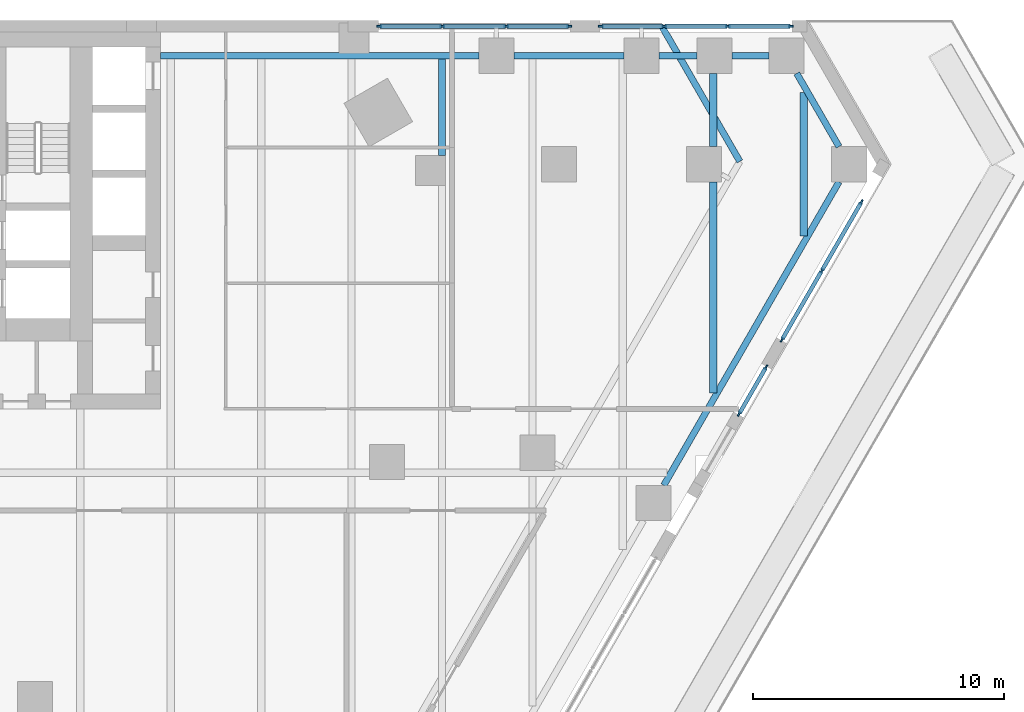
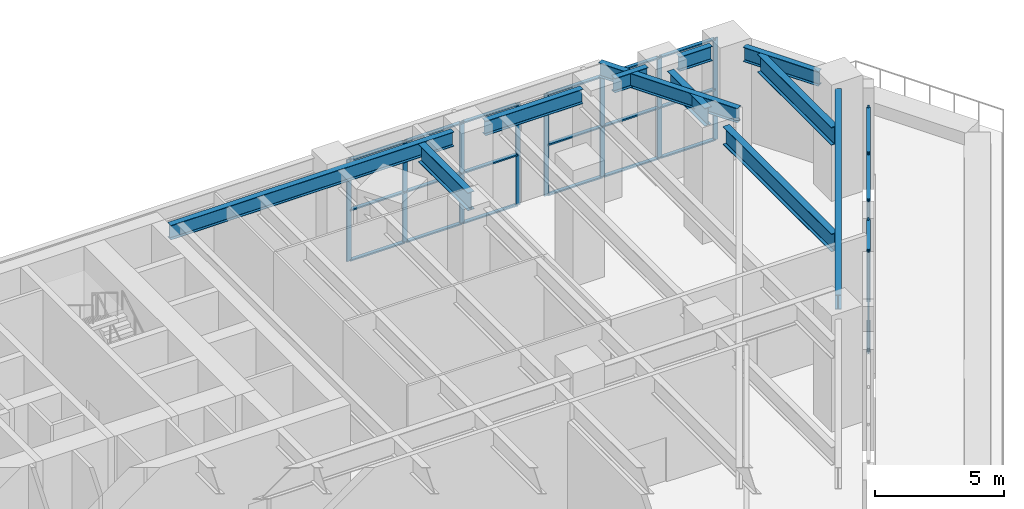
# One storey, part 13 of 30: 40 members, 11 beams, 4 elements without a shape of their own.
"""IFC4 building model written with IfcOpenShell, lengths in metres."""

from ifc_helpers import new_model, si_unit, direction, frame, origin, origin_2d, place, context, subcontext, project, spatial, rectangle, i_section, extrude, material, material_profile, profile_set, type_object, element, aggregate, save


model = new_model("IFC4")

# Units and contexts
model_context = context("Model", 3, precision=1e-05, world=origin(), true_north=direction((0.0, 1.0)))
body_context = subcontext(model_context, "Body", "Model", "MODEL_VIEW")
ifc_project = project(units=[si_unit("LENGTHUNIT", "METRE"), si_unit("AREAUNIT", "SQUARE_METRE"), si_unit("VOLUMEUNIT", "CUBIC_METRE"), si_unit("PLANEANGLEUNIT", "RADIAN"), si_unit("MASSUNIT", "GRAM", prefix="KILO")], contexts=[model_context])

# Site, building, storey
site_placement = place(None, origin())
site = spatial("IfcSite", under=ifc_project, at=site_placement, CompositionType="ELEMENT")
building_placement = place(site_placement, origin())
building = spatial("IfcBuilding", under=site, at=building_placement, Name="Aloe Facet Convention Tower", CompositionType="ELEMENT")
storey_placement = place(building_placement, frame((0.0, 0.0, 19.5)))
storey = spatial("IfcBuildingStorey", under=building, at=storey_placement, Name="L03", CompositionType="ELEMENT", Elevation=19.5)

# Beam
ifc_material_1 = material(Name="Steel S355", Category="steel")
ifc_material_profile_1 = material_profile(ifc_material_1, i_section(OverallWidth=0.25439453125, OverallDepth=0.6875, WebThickness=0.01318359375, FlangeThickness=0.02099609375, FilletRadius=0.01513671875, at=origin_2d()), Name="UB 686x254x152")
ifc_profile_set_1 = profile_set([ifc_material_profile_1], Name="Steel S355")
beam_type_1 = type_object("IfcBeamType", Name="EV-EB-UB686x254x152", PredefinedType="BEAM", material=ifc_profile_set_1)
beam_1_placement = place(storey_placement, frame((117.052001953125, 129.396728515625, 4.90625), z_axis=(-0.499986758824, 0.866033048446, 0.0), x_axis=(-0.866033048446, -0.499986758824, 0.0)))
element("IfcBeam", 1, at=beam_1_placement, inside=storey, type_object=beam_type_1, Name="EB-L04-C", PredefinedType="BEAM", context=body_context, shape_type="SweptSolid", body=[
    extrude(i_section(OverallWidth=0.25439453125, OverallDepth=0.6875, WebThickness=0.01318359375, FlangeThickness=0.02099609375, FilletRadius=0.01513671875, at=origin_2d()), origin(), (0.0, 0.0, 1.0), 6.210205078125),
])

# Curtain wall, members
ifc_material_2 = material(Name="Aluminium, anodised", Category="aluminium")
curtain_wall_type = type_object("IfcCurtainWallType", Name="EV-CW-HALL", PredefinedType="USERDEFINED", material=ifc_material_2)
curtain_wall_1_placement = place(storey_placement, origin())
curtain_wall_1 = element("IfcCurtainWall", 2, at=curtain_wall_1_placement, inside=storey, type_object=curtain_wall_type, Name="CW-L03-N02", ObjectType="UNITISED HALL GLAZING", PredefinedType="USERDEFINED")
ifc_material_3 = material(Name="Aluminium, anodised", Category="aluminium")
ifc_material_profile_2 = material_profile(ifc_material_3, rectangle(XDim=0.06494140625, YDim=0.199951171875, at=origin_2d()), Name="AL 65x200")
ifc_profile_set_2 = profile_set([ifc_material_profile_2], Name="Aluminium, anodised")
member_type_1 = type_object("IfcMemberType", Name="EV-MULL-HALL", PredefinedType="MULLION", material=ifc_profile_set_2)
member_1_placement = place(storey_placement, frame((119.087890625, 134.77490234375, -0.25), z_axis=(0.0, 0.0, 1.0), x_axis=(0.0, -1.0, 0.0)))
member_1 = element("IfcMember", 3, at=member_1_placement, type_object=member_type_1, Name="CW-L03-N02 mullion 1", PredefinedType="MULLION", context=body_context, shape_type="SweptSolid", body=[
    extrude(rectangle(XDim=0.06494140625, YDim=0.199951171875, at=origin_2d()), origin(), (0.0, 0.0, 1.0), 4.8125),
])
member_2_placement = place(storey_placement, frame((116.578369140625, 134.77490234375, -0.25), z_axis=(0.0, 0.0, 1.0), x_axis=(0.0, -1.0, 0.0)))
member_2 = element("IfcMember", 4, at=member_2_placement, type_object=member_type_1, Name="CW-L03-N02 mullion 2", PredefinedType="MULLION", context=body_context, shape_type="SweptSolid", body=[
    extrude(rectangle(XDim=0.06494140625, YDim=0.199951171875, at=origin_2d()), origin(), (0.0, 0.0, 1.0), 4.8125),
])
member_3_placement = place(storey_placement, frame((114.035888671875, 134.77490234375, -0.25), z_axis=(0.0, 0.0, 1.0), x_axis=(0.0, -1.0, 0.0)))
member_3 = element("IfcMember", 5, at=member_3_placement, type_object=member_type_1, Name="CW-L03-N02 mullion 3", PredefinedType="MULLION", context=body_context, shape_type="SweptSolid", body=[
    extrude(rectangle(XDim=0.06494140625, YDim=0.199951171875, at=origin_2d()), origin(), (0.0, 0.0, 1.0), 4.8125),
])
member_4_placement = place(storey_placement, frame((111.526123046875, 134.77490234375, -0.25), z_axis=(0.0, 0.0, 1.0), x_axis=(0.0, -1.0, 0.0)))
member_4 = element("IfcMember", 6, at=member_4_placement, type_object=member_type_1, Name="CW-L03-N02 mullion 4", PredefinedType="MULLION", context=body_context, shape_type="SweptSolid", body=[
    extrude(rectangle(XDim=0.06494140625, YDim=0.199951171875, at=origin_2d()), origin(), (0.0, 0.0, 1.0), 4.8125),
])

curtain_wall_2_placement = place(storey_placement, origin())
curtain_wall_2 = element("IfcCurtainWall", 7, at=curtain_wall_2_placement, inside=storey, type_object=curtain_wall_type, Name="CW-L03-N04", ObjectType="UNITISED HALL GLAZING", PredefinedType="USERDEFINED")
member_5_placement = place(storey_placement, frame((110.26123046875, 134.77490234375, -0.25), z_axis=(0.0, 0.0, 1.0), x_axis=(0.0, -1.0, 0.0)))
member_5 = element("IfcMember", 8, at=member_5_placement, type_object=member_type_1, Name="CW-L03-N04 mullion 1", PredefinedType="MULLION", context=body_context, shape_type="SweptSolid", body=[
    extrude(rectangle(XDim=0.06494140625, YDim=0.199951171875, at=origin_2d()), origin(), (0.0, 0.0, 1.0), 4.8125),
])
member_6_placement = place(storey_placement, frame((107.75146484375, 134.77490234375, -0.25), z_axis=(0.0, 0.0, 1.0), x_axis=(0.0, -1.0, 0.0)))
member_6 = element("IfcMember", 9, at=member_6_placement, type_object=member_type_1, Name="CW-L03-N04 mullion 2", PredefinedType="MULLION", context=body_context, shape_type="SweptSolid", body=[
    extrude(rectangle(XDim=0.06494140625, YDim=0.199951171875, at=origin_2d()), origin(), (0.0, 0.0, 1.0), 4.8125),
])
member_7_placement = place(storey_placement, frame((105.209228515625, 134.77490234375, -0.25), z_axis=(0.0, 0.0, 1.0), x_axis=(0.0, -1.0, 0.0)))
member_7 = element("IfcMember", 10, at=member_7_placement, type_object=member_type_1, Name="CW-L03-N04 mullion 3", PredefinedType="MULLION", context=body_context, shape_type="SweptSolid", body=[
    extrude(rectangle(XDim=0.06494140625, YDim=0.199951171875, at=origin_2d()), origin(), (0.0, 0.0, 1.0), 4.8125),
])
member_8_placement = place(storey_placement, frame((102.699462890625, 134.77490234375, -0.25), z_axis=(0.0, 0.0, 1.0), x_axis=(0.0, -1.0, 0.0)))
member_8 = element("IfcMember", 11, at=member_8_placement, type_object=member_type_1, Name="CW-L03-N04 mullion 4", PredefinedType="MULLION", context=body_context, shape_type="SweptSolid", body=[
    extrude(rectangle(XDim=0.06494140625, YDim=0.199951171875, at=origin_2d()), origin(), (0.0, 0.0, 1.0), 4.8125),
])

curtain_wall_3_placement = place(storey_placement, origin())
curtain_wall_3 = element("IfcCurtainWall", 12, at=curtain_wall_3_placement, inside=storey, type_object=curtain_wall_type, Name="CW-L03-E16B", ObjectType="UNITISED HALL GLAZING", PredefinedType="USERDEFINED")
member_9_placement = place(storey_placement, frame((117.021728515625, 119.34423828125, -0.25), z_axis=(0.0, 0.0, 1.0), x_axis=(-0.866025403767, 0.50000000003, 0.0)))
member_9 = element("IfcMember", 13, at=member_9_placement, type_object=member_type_1, Name="CW-L03-E16B mullion 1", PredefinedType="MULLION", context=body_context, shape_type="SweptSolid", body=[
    extrude(rectangle(XDim=0.06494140625, YDim=0.199951171875, at=origin_2d()), origin(), (0.0, 0.0, 1.0), 4.8125),
])
member_10_placement = place(storey_placement, frame((118.095947265625, 121.204833984375, -0.25), z_axis=(0.0, 0.0, 1.0), x_axis=(-0.866025403767, 0.50000000003, 0.0)))
member_10 = element("IfcMember", 14, at=member_10_placement, type_object=member_type_1, Name="CW-L03-E16B mullion 2", PredefinedType="MULLION", context=body_context, shape_type="SweptSolid", body=[
    extrude(rectangle(XDim=0.06494140625, YDim=0.199951171875, at=origin_2d()), origin(), (0.0, 0.0, 1.0), 4.8125),
])

curtain_wall_4_placement = place(storey_placement, origin())
curtain_wall_4 = element("IfcCurtainWall", 15, at=curtain_wall_4_placement, inside=storey, type_object=curtain_wall_type, Name="CW-L03-E18", ObjectType="UNITISED HALL GLAZING", PredefinedType="USERDEFINED")
member_11_placement = place(storey_placement, frame((118.728515625, 122.30029296875, -0.25), z_axis=(0.0, 0.0, 1.0), x_axis=(-0.866025403846, 0.499999999894, 0.0)))
member_11 = element("IfcMember", 16, at=member_11_placement, type_object=member_type_1, Name="CW-L03-E18 mullion 1", PredefinedType="MULLION", context=body_context, shape_type="SweptSolid", body=[
    extrude(rectangle(XDim=0.06494140625, YDim=0.199951171875, at=origin_2d()), origin(), (0.0, 0.0, 1.0), 4.8125),
])
member_12_placement = place(storey_placement, frame((120.310791015625, 125.040771484375, -0.25), z_axis=(0.0, 0.0, 1.0), x_axis=(-0.866025403846, 0.499999999894, 0.0)))
member_12 = element("IfcMember", 17, at=member_12_placement, type_object=member_type_1, Name="CW-L03-E18 mullion 2", PredefinedType="MULLION", context=body_context, shape_type="SweptSolid", body=[
    extrude(rectangle(XDim=0.06494140625, YDim=0.199951171875, at=origin_2d()), origin(), (0.0, 0.0, 1.0), 4.8125),
])
member_13_placement = place(storey_placement, frame((121.892822265625, 127.78125, -0.25), z_axis=(0.0, 0.0, 1.0), x_axis=(-0.866025403846, 0.499999999894, 0.0)))
member_13 = element("IfcMember", 18, at=member_13_placement, type_object=member_type_1, Name="CW-L03-E18 mullion 3", PredefinedType="MULLION", context=body_context, shape_type="SweptSolid", body=[
    extrude(rectangle(XDim=0.06494140625, YDim=0.199951171875, at=origin_2d()), origin(), (0.0, 0.0, 1.0), 4.8125),
])

# Member
ifc_material_4 = material(Name="Aluminium, anodised", Category="aluminium")
ifc_material_profile_3 = material_profile(ifc_material_4, rectangle(XDim=0.159912109375, YDim=0.06494140625, at=origin_2d()), Name="AL 160x65")
ifc_profile_set_3 = profile_set([ifc_material_profile_3], Name="Aluminium, anodised")
member_type_2 = type_object("IfcMemberType", Name="EV-TRAN-HALL", PredefinedType="USERDEFINED", material=ifc_profile_set_3)
member_14_placement = place(storey_placement, frame((119.055419921875, 134.77490234375, -0.217529296875), z_axis=(-1.0, 0.0, 0.0), x_axis=(0.0, -1.0, 0.0)))
member_14 = element("IfcMember", 19, at=member_14_placement, type_object=member_type_2, Name="CW-L03-N02 transom 1.1", ObjectType="TRANSOM", PredefinedType="USERDEFINED", context=body_context, shape_type="SweptSolid", body=[
    extrude(rectangle(XDim=0.159912109375, YDim=0.06494140625, at=origin_2d()), origin(), (0.0, 0.0, 1.0), 2.444580078125),
])

member_15_placement = place(storey_placement, frame((119.055419921875, 134.77490234375, 2.15625), z_axis=(-1.0, 0.0, 0.0), x_axis=(0.0, -1.0, 0.0)))
member_15 = element("IfcMember", 20, at=member_15_placement, type_object=member_type_2, Name="CW-L03-N02 transom 1.2", ObjectType="TRANSOM", PredefinedType="USERDEFINED", context=body_context, shape_type="SweptSolid", body=[
    extrude(rectangle(XDim=0.159912109375, YDim=0.06494140625, at=origin_2d()), origin(), (0.0, 0.0, 1.0), 2.444580078125),
])

member_16_placement = place(storey_placement, frame((119.055419921875, 134.77490234375, 4.530029296875), z_axis=(-1.0, 0.0, 0.0), x_axis=(0.0, -1.0, 0.0)))
member_16 = element("IfcMember", 21, at=member_16_placement, type_object=member_type_2, Name="CW-L03-N02 transom 1.3", ObjectType="TRANSOM", PredefinedType="USERDEFINED", context=body_context, shape_type="SweptSolid", body=[
    extrude(rectangle(XDim=0.159912109375, YDim=0.06494140625, at=origin_2d()), origin(), (0.0, 0.0, 1.0), 2.444580078125),
])

member_17_placement = place(storey_placement, frame((116.545654296875, 134.77490234375, -0.217529296875), z_axis=(-1.0, 0.0, 0.0), x_axis=(0.0, -1.0, 0.0)))
member_17 = element("IfcMember", 22, at=member_17_placement, type_object=member_type_2, Name="CW-L03-N02 transom 2.1", ObjectType="TRANSOM", PredefinedType="USERDEFINED", context=body_context, shape_type="SweptSolid", body=[
    extrude(rectangle(XDim=0.159912109375, YDim=0.06494140625, at=origin_2d()), origin(), (0.0, 0.0, 1.0), 2.47705078125),
])

member_18_placement = place(storey_placement, frame((116.545654296875, 134.77490234375, 2.15625), z_axis=(-1.0, 0.0, 0.0), x_axis=(0.0, -1.0, 0.0)))
member_18 = element("IfcMember", 23, at=member_18_placement, type_object=member_type_2, Name="CW-L03-N02 transom 2.2", ObjectType="TRANSOM", PredefinedType="USERDEFINED", context=body_context, shape_type="SweptSolid", body=[
    extrude(rectangle(XDim=0.159912109375, YDim=0.06494140625, at=origin_2d()), origin(), (0.0, 0.0, 1.0), 2.47705078125),
])

member_19_placement = place(storey_placement, frame((116.545654296875, 134.77490234375, 4.530029296875), z_axis=(-1.0, 0.0, 0.0), x_axis=(0.0, -1.0, 0.0)))
member_19 = element("IfcMember", 24, at=member_19_placement, type_object=member_type_2, Name="CW-L03-N02 transom 2.3", ObjectType="TRANSOM", PredefinedType="USERDEFINED", context=body_context, shape_type="SweptSolid", body=[
    extrude(rectangle(XDim=0.159912109375, YDim=0.06494140625, at=origin_2d()), origin(), (0.0, 0.0, 1.0), 2.47705078125),
])

member_20_placement = place(storey_placement, frame((114.00341796875, 134.77490234375, -0.217529296875), z_axis=(-1.0, 0.0, 0.0), x_axis=(0.0, -1.0, 0.0)))
member_20 = element("IfcMember", 25, at=member_20_placement, type_object=member_type_2, Name="CW-L03-N02 transom 3.1", ObjectType="TRANSOM", PredefinedType="USERDEFINED", context=body_context, shape_type="SweptSolid", body=[
    extrude(rectangle(XDim=0.159912109375, YDim=0.06494140625, at=origin_2d()), origin(), (0.0, 0.0, 1.0), 2.444580078125),
])

member_21_placement = place(storey_placement, frame((114.00341796875, 134.77490234375, 2.15625), z_axis=(-1.0, 0.0, 0.0), x_axis=(0.0, -1.0, 0.0)))
member_21 = element("IfcMember", 26, at=member_21_placement, type_object=member_type_2, Name="CW-L03-N02 transom 3.2", ObjectType="TRANSOM", PredefinedType="USERDEFINED", context=body_context, shape_type="SweptSolid", body=[
    extrude(rectangle(XDim=0.159912109375, YDim=0.06494140625, at=origin_2d()), origin(), (0.0, 0.0, 1.0), 2.444580078125),
])

member_22_placement = place(storey_placement, frame((114.00341796875, 134.77490234375, 4.530029296875), z_axis=(-1.0, 0.0, 0.0), x_axis=(0.0, -1.0, 0.0)))
member_22 = element("IfcMember", 27, at=member_22_placement, type_object=member_type_2, Name="CW-L03-N02 transom 3.3", ObjectType="TRANSOM", PredefinedType="USERDEFINED", context=body_context, shape_type="SweptSolid", body=[
    extrude(rectangle(XDim=0.159912109375, YDim=0.06494140625, at=origin_2d()), origin(), (0.0, 0.0, 1.0), 2.444580078125),
])

aggregate(curtain_wall_1, [member_1, member_2, member_3, member_4, member_14, member_15, member_16, member_17, member_18, member_19, member_20, member_21, member_22])

member_23_placement = place(storey_placement, frame((110.228759765625, 134.77490234375, -0.217529296875), z_axis=(-1.0, 0.0, 0.0), x_axis=(0.0, -1.0, 0.0)))
member_23 = element("IfcMember", 28, at=member_23_placement, type_object=member_type_2, Name="CW-L03-N04 transom 1.1", ObjectType="TRANSOM", PredefinedType="USERDEFINED", context=body_context, shape_type="SweptSolid", body=[
    extrude(rectangle(XDim=0.159912109375, YDim=0.06494140625, at=origin_2d()), origin(), (0.0, 0.0, 1.0), 2.44482421875),
])

member_24_placement = place(storey_placement, frame((110.228759765625, 134.77490234375, 2.15625), z_axis=(-1.0, 0.0, 0.0), x_axis=(0.0, -1.0, 0.0)))
member_24 = element("IfcMember", 29, at=member_24_placement, type_object=member_type_2, Name="CW-L03-N04 transom 1.2", ObjectType="TRANSOM", PredefinedType="USERDEFINED", context=body_context, shape_type="SweptSolid", body=[
    extrude(rectangle(XDim=0.159912109375, YDim=0.06494140625, at=origin_2d()), origin(), (0.0, 0.0, 1.0), 2.44482421875),
])

member_25_placement = place(storey_placement, frame((110.228759765625, 134.77490234375, 4.530029296875), z_axis=(-1.0, 0.0, 0.0), x_axis=(0.0, -1.0, 0.0)))
member_25 = element("IfcMember", 30, at=member_25_placement, type_object=member_type_2, Name="CW-L03-N04 transom 1.3", ObjectType="TRANSOM", PredefinedType="USERDEFINED", context=body_context, shape_type="SweptSolid", body=[
    extrude(rectangle(XDim=0.159912109375, YDim=0.06494140625, at=origin_2d()), origin(), (0.0, 0.0, 1.0), 2.44482421875),
])

member_26_placement = place(storey_placement, frame((107.718994140625, 134.77490234375, -0.217529296875), z_axis=(-1.0, 0.0, 0.0), x_axis=(0.0, -1.0, 0.0)))
member_26 = element("IfcMember", 31, at=member_26_placement, type_object=member_type_2, Name="CW-L03-N04 transom 2.1", ObjectType="TRANSOM", PredefinedType="USERDEFINED", context=body_context, shape_type="SweptSolid", body=[
    extrude(rectangle(XDim=0.159912109375, YDim=0.06494140625, at=origin_2d()), origin(), (0.0, 0.0, 1.0), 2.477294921875),
])

member_27_placement = place(storey_placement, frame((107.718994140625, 134.77490234375, 2.15625), z_axis=(-1.0, 0.0, 0.0), x_axis=(0.0, -1.0, 0.0)))
member_27 = element("IfcMember", 32, at=member_27_placement, type_object=member_type_2, Name="CW-L03-N04 transom 2.2", ObjectType="TRANSOM", PredefinedType="USERDEFINED", context=body_context, shape_type="SweptSolid", body=[
    extrude(rectangle(XDim=0.159912109375, YDim=0.06494140625, at=origin_2d()), origin(), (0.0, 0.0, 1.0), 2.477294921875),
])

member_28_placement = place(storey_placement, frame((107.718994140625, 134.77490234375, 4.530029296875), z_axis=(-1.0, 0.0, 0.0), x_axis=(0.0, -1.0, 0.0)))
member_28 = element("IfcMember", 33, at=member_28_placement, type_object=member_type_2, Name="CW-L03-N04 transom 2.3", ObjectType="TRANSOM", PredefinedType="USERDEFINED", context=body_context, shape_type="SweptSolid", body=[
    extrude(rectangle(XDim=0.159912109375, YDim=0.06494140625, at=origin_2d()), origin(), (0.0, 0.0, 1.0), 2.477294921875),
])

member_29_placement = place(storey_placement, frame((105.1767578125, 134.77490234375, -0.217529296875), z_axis=(-1.0, 0.0, 0.0), x_axis=(0.0, -1.0, 0.0)))
member_29 = element("IfcMember", 34, at=member_29_placement, type_object=member_type_2, Name="CW-L03-N04 transom 3.1", ObjectType="TRANSOM", PredefinedType="USERDEFINED", context=body_context, shape_type="SweptSolid", body=[
    extrude(rectangle(XDim=0.159912109375, YDim=0.06494140625, at=origin_2d()), origin(), (0.0, 0.0, 1.0), 2.44482421875),
])

member_30_placement = place(storey_placement, frame((105.1767578125, 134.77490234375, 2.15625), z_axis=(-1.0, 0.0, 0.0), x_axis=(0.0, -1.0, 0.0)))
member_30 = element("IfcMember", 35, at=member_30_placement, type_object=member_type_2, Name="CW-L03-N04 transom 3.2", ObjectType="TRANSOM", PredefinedType="USERDEFINED", context=body_context, shape_type="SweptSolid", body=[
    extrude(rectangle(XDim=0.159912109375, YDim=0.06494140625, at=origin_2d()), origin(), (0.0, 0.0, 1.0), 2.44482421875),
])

member_31_placement = place(storey_placement, frame((105.1767578125, 134.77490234375, 4.530029296875), z_axis=(-1.0, 0.0, 0.0), x_axis=(0.0, -1.0, 0.0)))
member_31 = element("IfcMember", 36, at=member_31_placement, type_object=member_type_2, Name="CW-L03-N04 transom 3.3", ObjectType="TRANSOM", PredefinedType="USERDEFINED", context=body_context, shape_type="SweptSolid", body=[
    extrude(rectangle(XDim=0.159912109375, YDim=0.06494140625, at=origin_2d()), origin(), (0.0, 0.0, 1.0), 2.44482421875),
])

aggregate(curtain_wall_2, [member_5, member_6, member_7, member_8, member_23, member_24, member_25, member_26, member_27, member_28, member_29, member_30, member_31])

member_32_placement = place(storey_placement, frame((117.0380859375, 119.372314453125, -0.217529296875), z_axis=(0.500033530467, 0.866006044095, 0.0), x_axis=(-0.866006044095, 0.500033530467, 0.0)))
member_32 = element("IfcMember", 37, at=member_32_placement, type_object=member_type_2, Name="CW-L03-E16B transom 1.1", ObjectType="TRANSOM", PredefinedType="USERDEFINED", context=body_context, shape_type="SweptSolid", body=[
    extrude(rectangle(XDim=0.159912109375, YDim=0.06494140625, at=origin_2d()), origin(), (0.0, 0.0, 1.0), 2.083251953125),
])

member_33_placement = place(storey_placement, frame((117.0380859375, 119.372314453125, 2.15625), z_axis=(0.500033530467, 0.866006044095, 0.0), x_axis=(-0.866006044095, 0.500033530467, 0.0)))
member_33 = element("IfcMember", 38, at=member_33_placement, type_object=member_type_2, Name="CW-L03-E16B transom 1.2", ObjectType="TRANSOM", PredefinedType="USERDEFINED", context=body_context, shape_type="SweptSolid", body=[
    extrude(rectangle(XDim=0.159912109375, YDim=0.06494140625, at=origin_2d()), origin(), (0.0, 0.0, 1.0), 2.083251953125),
])

member_34_placement = place(storey_placement, frame((117.0380859375, 119.372314453125, 4.530029296875), z_axis=(0.500033530467, 0.866006044095, 0.0), x_axis=(-0.866006044095, 0.500033530467, 0.0)))
member_34 = element("IfcMember", 39, at=member_34_placement, type_object=member_type_2, Name="CW-L03-E16B transom 1.3", ObjectType="TRANSOM", PredefinedType="USERDEFINED", context=body_context, shape_type="SweptSolid", body=[
    extrude(rectangle(XDim=0.159912109375, YDim=0.06494140625, at=origin_2d()), origin(), (0.0, 0.0, 1.0), 2.083251953125),
])

aggregate(curtain_wall_3, [member_9, member_10, member_32, member_33, member_34])

member_35_placement = place(storey_placement, frame((118.744873046875, 122.328369140625, -0.217529296875), z_axis=(0.499942918831, 0.866058357105, 0.0), x_axis=(-0.866058357105, 0.499942918831, 0.0)))
member_35 = element("IfcMember", 40, at=member_35_placement, type_object=member_type_2, Name="CW-L03-E18 transom 1.1", ObjectType="TRANSOM", PredefinedType="USERDEFINED", context=body_context, shape_type="SweptSolid", body=[
    extrude(rectangle(XDim=0.159912109375, YDim=0.06494140625, at=origin_2d()), origin(), (0.0, 0.0, 1.0), 3.099365234375),
])

member_36_placement = place(storey_placement, frame((118.744873046875, 122.328369140625, 2.15625), z_axis=(0.499942918831, 0.866058357105, 0.0), x_axis=(-0.866058357105, 0.499942918831, 0.0)))
member_36 = element("IfcMember", 41, at=member_36_placement, type_object=member_type_2, Name="CW-L03-E18 transom 1.2", ObjectType="TRANSOM", PredefinedType="USERDEFINED", context=body_context, shape_type="SweptSolid", body=[
    extrude(rectangle(XDim=0.159912109375, YDim=0.06494140625, at=origin_2d()), origin(), (0.0, 0.0, 1.0), 3.099365234375),
])

member_37_placement = place(storey_placement, frame((118.744873046875, 122.328369140625, 4.530029296875), z_axis=(0.499942918831, 0.866058357105, 0.0), x_axis=(-0.866058357105, 0.499942918831, 0.0)))
member_37 = element("IfcMember", 42, at=member_37_placement, type_object=member_type_2, Name="CW-L03-E18 transom 1.3", ObjectType="TRANSOM", PredefinedType="USERDEFINED", context=body_context, shape_type="SweptSolid", body=[
    extrude(rectangle(XDim=0.159912109375, YDim=0.06494140625, at=origin_2d()), origin(), (0.0, 0.0, 1.0), 3.099365234375),
])

member_38_placement = place(storey_placement, frame((120.326904296875, 125.06884765625, -0.217529296875), z_axis=(0.500036104519, 0.866004557827, 0.0), x_axis=(-0.866004557827, 0.500036104519, 0.0)))
member_38 = element("IfcMember", 43, at=member_38_placement, type_object=member_type_2, Name="CW-L03-E18 transom 2.1", ObjectType="TRANSOM", PredefinedType="USERDEFINED", context=body_context, shape_type="SweptSolid", body=[
    extrude(rectangle(XDim=0.159912109375, YDim=0.06494140625, at=origin_2d()), origin(), (0.0, 0.0, 1.0), 3.099365234375),
])

member_39_placement = place(storey_placement, frame((120.326904296875, 125.06884765625, 2.15625), z_axis=(0.500036104519, 0.866004557827, 0.0), x_axis=(-0.866004557827, 0.500036104519, 0.0)))
member_39 = element("IfcMember", 44, at=member_39_placement, type_object=member_type_2, Name="CW-L03-E18 transom 2.2", ObjectType="TRANSOM", PredefinedType="USERDEFINED", context=body_context, shape_type="SweptSolid", body=[
    extrude(rectangle(XDim=0.159912109375, YDim=0.06494140625, at=origin_2d()), origin(), (0.0, 0.0, 1.0), 3.099365234375),
])

member_40_placement = place(storey_placement, frame((120.326904296875, 125.06884765625, 4.530029296875), z_axis=(0.500036104519, 0.866004557827, 0.0), x_axis=(-0.866004557827, 0.500036104519, 0.0)))
member_40 = element("IfcMember", 45, at=member_40_placement, type_object=member_type_2, Name="CW-L03-E18 transom 2.3", ObjectType="TRANSOM", PredefinedType="USERDEFINED", context=body_context, shape_type="SweptSolid", body=[
    extrude(rectangle(XDim=0.159912109375, YDim=0.06494140625, at=origin_2d()), origin(), (0.0, 0.0, 1.0), 3.099365234375),
])

aggregate(curtain_wall_4, [member_11, member_12, member_13, member_35, member_36, member_37, member_38, member_39, member_40])

# Beams
ifc_material_5 = material(Name="Steel S355", Category="steel")
ifc_material_profile_4 = material_profile(ifc_material_5, i_section(OverallWidth=0.25439453125, OverallDepth=0.6875, WebThickness=0.01318359375, FlangeThickness=0.02099609375, FilletRadius=0.01513671875, at=origin_2d()), Name="UB 686x254x152")
ifc_profile_set_4 = profile_set([ifc_material_profile_4], Name="Steel S355")
beam_type_2 = type_object("IfcBeamType", Name="SF-B-UB686x254x152", PredefinedType="BEAM", material=ifc_profile_set_4)
beam_2_placement = place(storey_placement, frame((94.0, 133.60009765625, 4.90625), z_axis=(1.0, 0.0, 0.0), x_axis=(0.0, 1.0, 0.0)))
element("IfcBeam", 46, at=beam_2_placement, inside=storey, type_object=beam_type_2, Name="Floor beam FB-L04-013", PredefinedType="BEAM", context=body_context, shape_type="SweptSolid", body=[
    extrude(i_section(OverallWidth=0.25439453125, OverallDepth=0.6875, WebThickness=0.01318359375, FlangeThickness=0.02099609375, FilletRadius=0.01513671875, at=origin_2d()), origin(), (0.0, 0.0, 1.0), 12.6650390625),
])
beam_3_placement = place(storey_placement, frame((108.06494140625, 133.60009765625, 4.90625), z_axis=(1.0, 0.0, 0.0), x_axis=(0.0, 1.0, 0.0)))
element("IfcBeam", 47, at=beam_3_placement, inside=storey, type_object=beam_type_2, Name="Floor beam FB-L04-016", PredefinedType="BEAM", context=body_context, shape_type="SweptSolid", body=[
    extrude(i_section(OverallWidth=0.25439453125, OverallDepth=0.6875, WebThickness=0.01318359375, FlangeThickness=0.02099609375, FilletRadius=0.01513671875, at=origin_2d()), origin(), (0.0, 0.0, 1.0), 4.3740234375),
])
beam_4_placement = place(storey_placement, frame((113.839111328125, 133.60009765625, 4.90625), z_axis=(1.0, 0.0, 0.0), x_axis=(0.0, 1.0, 0.0)))
element("IfcBeam", 48, at=beam_4_placement, inside=storey, type_object=beam_type_2, Name="Floor beam FB-L04-018", PredefinedType="BEAM", context=body_context, shape_type="SweptSolid", body=[
    extrude(i_section(OverallWidth=0.25439453125, OverallDepth=0.6875, WebThickness=0.01318359375, FlangeThickness=0.02099609375, FilletRadius=0.01513671875, at=origin_2d()), origin(), (0.0, 0.0, 1.0), 1.5029296875),
])
beam_5_placement = place(storey_placement, frame((116.741943359375, 133.60009765625, 4.90625), z_axis=(1.0, 0.0, 0.0), x_axis=(0.0, 1.0, 0.0)))
element("IfcBeam", 49, at=beam_5_placement, inside=storey, type_object=beam_type_2, Name="Floor beam FB-L04-019", PredefinedType="BEAM", context=body_context, shape_type="SweptSolid", body=[
    extrude(i_section(OverallWidth=0.25439453125, OverallDepth=0.6875, WebThickness=0.01318359375, FlangeThickness=0.02099609375, FilletRadius=0.01513671875, at=origin_2d()), origin(), (0.0, 0.0, 1.0), 1.469970703125),
])
beam_6_placement = place(storey_placement, frame((119.31640625, 132.89990234375, 4.90625), z_axis=(0.500006981563, -0.86602137294, 0.0), x_axis=(0.86602137294, 0.500006981563, 0.0)))
element("IfcBeam", 50, at=beam_6_placement, inside=storey, type_object=beam_type_2, Name="Floor beam FB-L04-020", PredefinedType="BEAM", context=body_context, shape_type="SweptSolid", body=[
    extrude(i_section(OverallWidth=0.25439453125, OverallDepth=0.6875, WebThickness=0.01318359375, FlangeThickness=0.02099609375, FilletRadius=0.01513671875, at=origin_2d()), origin(), (0.0, 0.0, 1.0), 3.3671875),
])
beam_7_placement = place(storey_placement, frame((120.99951171875, 128.583984375, 4.90625), z_axis=(-0.499987109246, -0.866032846137, 0.0), x_axis=(0.866032846137, -0.499987109246, 0.0)))
element("IfcBeam", 51, at=beam_7_placement, inside=storey, type_object=beam_type_2, Name="Floor beam FB-L04-021", PredefinedType="BEAM", context=body_context, shape_type="SweptSolid", body=[
    extrude(i_section(OverallWidth=0.25439453125, OverallDepth=0.6875, WebThickness=0.01318359375, FlangeThickness=0.02099609375, FilletRadius=0.01513671875, at=origin_2d()), origin(), (0.0, 0.0, 1.0), 13.947509765625),
])
ifc_material_6 = material(Name="Steel S355", Category="steel")
ifc_material_profile_5 = material_profile(ifc_material_6, i_section(OverallWidth=0.293701171875, OverallDepth=0.850830078125, WebThickness=0.01611328125, FlangeThickness=0.02685546875, FilletRadius=0.017822265625, at=origin_2d()), Name="UB 838x292x226")
ifc_profile_set_5 = profile_set([ifc_material_profile_5], Name="Steel S355")
beam_type_3 = type_object("IfcBeamType", Name="SF-B-UB838x292x226", PredefinedType="BEAM", material=ifc_profile_set_5)
beam_8_placement = place(storey_placement, frame((105.199951171875, 129.6279296875, 4.824462890625), z_axis=(0.0, 1.0, 0.0), x_axis=(-1.0, 0.0, 0.0)))
element("IfcBeam", 52, at=beam_8_placement, inside=storey, type_object=beam_type_3, Name="Floor beam FB-L04-099", PredefinedType="BEAM", context=body_context, shape_type="SweptSolid", body=[
    extrude(i_section(OverallWidth=0.293701171875, OverallDepth=0.850830078125, WebThickness=0.01611328125, FlangeThickness=0.02685546875, FilletRadius=0.017822265625, at=origin_2d()), origin(), (0.0, 0.0, 1.0), 3.834716796875),
])
beam_9_placement = place(storey_placement, frame((116.0, 120.18896484375, 4.824462890625), z_axis=(0.0, 1.0, 0.0), x_axis=(-1.0, 0.0, 0.0)))
element("IfcBeam", 53, at=beam_9_placement, inside=storey, type_object=beam_type_3, Name="Floor beam FB-L04-104", PredefinedType="BEAM", context=body_context, shape_type="SweptSolid", body=[
    extrude(i_section(OverallWidth=0.293701171875, OverallDepth=0.850830078125, WebThickness=0.01611328125, FlangeThickness=0.02685546875, FilletRadius=0.017822265625, at=origin_2d()), origin(), (0.0, 0.0, 1.0), 8.39501953125),
])
beam_10_placement = place(storey_placement, frame((116.0, 129.98388671875, 4.824462890625), z_axis=(0.0, 1.0, 0.0), x_axis=(-1.0, 0.0, 0.0)))
element("IfcBeam", 54, at=beam_10_placement, inside=storey, type_object=beam_type_3, Name="Floor beam FB-L04-105", PredefinedType="BEAM", context=body_context, shape_type="SweptSolid", body=[
    extrude(i_section(OverallWidth=0.293701171875, OverallDepth=0.850830078125, WebThickness=0.01611328125, FlangeThickness=0.02685546875, FilletRadius=0.017822265625, at=origin_2d()), origin(), (0.0, 0.0, 1.0), 2.916015625),
])
beam_11_placement = place(storey_placement, frame((119.60009765625, 126.42431640625, 4.824462890625), z_axis=(0.0, 1.0, 0.0), x_axis=(-1.0, 0.0, 0.0)))
element("IfcBeam", 55, at=beam_11_placement, inside=storey, type_object=beam_type_3, Name="Floor beam FB-L04-106", PredefinedType="BEAM", context=body_context, shape_type="SweptSolid", body=[
    extrude(i_section(OverallWidth=0.293701171875, OverallDepth=0.850830078125, WebThickness=0.01611328125, FlangeThickness=0.02685546875, FilletRadius=0.017822265625, at=origin_2d()), origin(), (0.0, 0.0, 1.0), 5.719970703125),
])

save(model, "model.ifc")
